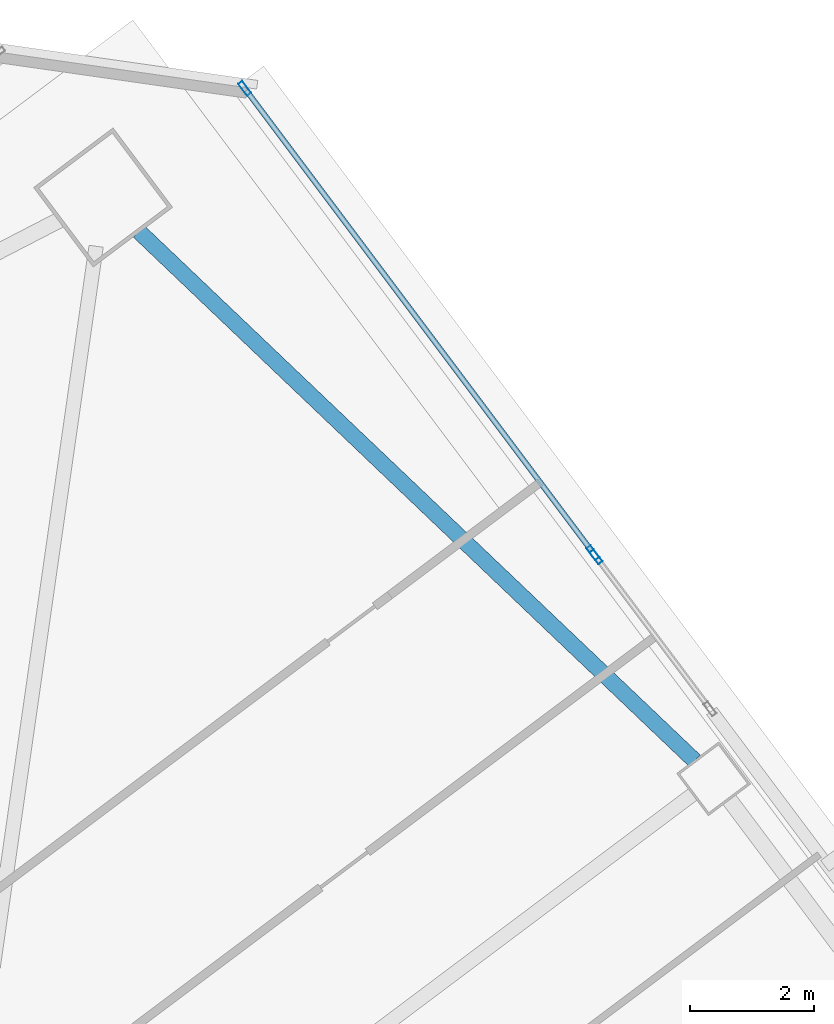
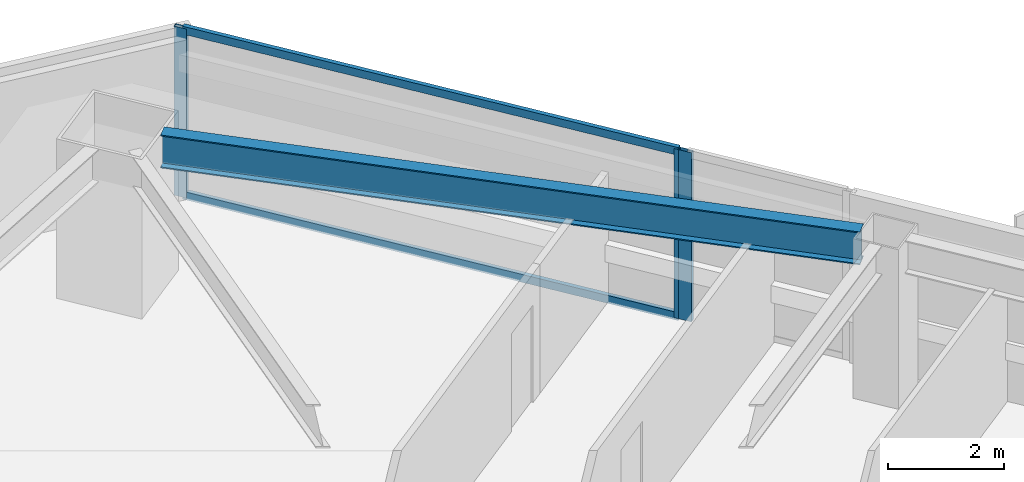
# One storey, part 38 of 62: 5 members, 1 beam, 2 elements without a shape of their own.
"""IFC4 building model written with IfcOpenShell, lengths in metres."""

from ifc_helpers import new_model, si_unit, direction, frame, origin, origin_2d, place, context, subcontext, project, spatial, hollow_rectangle, i_section, extrude, material, material_profile, profile_set, type_object, element, aggregate, save


model = new_model("IFC4")

# Units and contexts
model_context = context("Model", 3, precision=1e-05, world=origin(), true_north=direction((0.0, 1.0)))
body_context = subcontext(model_context, "Body", "Model", "MODEL_VIEW")
ifc_project = project(units=[si_unit("LENGTHUNIT", "METRE"), si_unit("AREAUNIT", "SQUARE_METRE"), si_unit("VOLUMEUNIT", "CUBIC_METRE"), si_unit("PLANEANGLEUNIT", "RADIAN"), si_unit("MASSUNIT", "GRAM", prefix="KILO")], contexts=[model_context])

# Site, building, storey
site_placement = place(None, origin())
site = spatial("IfcSite", under=ifc_project, at=site_placement, CompositionType="ELEMENT")
building_placement = place(site_placement, origin())
building = spatial("IfcBuilding", under=site, at=building_placement, Name="Tashvorn Skyway Center", CompositionType="ELEMENT")
storey_placement = place(building_placement, frame((0.0, 0.0, 28.14990234375)))
storey = spatial("IfcBuildingStorey", under=building, at=storey_placement, Name="L06", CompositionType="ELEMENT", Elevation=28.14990234375)

# Beam
ifc_material_1 = material(Name="Steel ASTM A992 Grade 50", Category="steel")
ifc_material_profile_1 = material_profile(ifc_material_1, i_section(OverallWidth=0.256103515625, OverallDepth=0.693115234375, WebThickness=0.014404296875, FlangeThickness=0.023681640625, at=origin_2d()), Name="W27X114")
ifc_profile_set_1 = profile_set([ifc_material_profile_1], Name="Steel ASTM A992 Grade 50")
beam_type = type_object("IfcBeamType", Name="BM-SPANDREL-W27X114", PredefinedType="SPANDREL", material=ifc_profile_set_1)
beam_placement = place(storey_placement, frame((127.2958984375, 49.23974609375, 3.003662109375), z_axis=(-0.724200339835, 0.689589637236, 0.0), x_axis=(-0.689589637236, -0.724200339835, 0.0)))
element("IfcBeam", 1, at=beam_placement, inside=storey, type_object=beam_type, Name="Tower 2 L06 Spandrel Beam 06", PredefinedType="SPANDREL", context=body_context, shape_type="SweptSolid", body=[
    extrude(i_section(OverallWidth=0.256103515625, OverallDepth=0.693115234375, WebThickness=0.014404296875, FlangeThickness=0.023681640625, at=origin_2d()), origin(), (0.0, 0.0, 1.0), 12.37255859375),
])

# Curtain wall, members
ifc_material_2 = material(Name="Thermally broken bronze-anodized aluminium 6063-T6", Category="aluminium")
curtain_wall_type = type_object("IfcCurtainWallType", Name="CW-CW-Z1", PredefinedType="NOTDEFINED", material=ifc_material_2)
curtain_wall_1_placement = place(storey_placement, origin())
curtain_wall_1 = element("IfcCurtainWall", 2, at=curtain_wall_1_placement, inside=storey, type_object=curtain_wall_type, Name="Tower 2 L06 East Unitised Curtain Wall Glazing Group 1", PredefinedType="NOTDEFINED")
ifc_material_profile_2 = material_profile(ifc_material_2, hollow_rectangle(XDim=0.0849609375, YDim=0.239990234375, WallThickness=0.0048828125, at=origin_2d()), Name="ALU-MULL-85x240")
ifc_profile_set_2 = profile_set([ifc_material_profile_2], Name="Thermally broken bronze-anodized aluminium 6063-T6")
member_type_1 = type_object("IfcMemberType", Name="CWM-CW-Z1", PredefinedType="MULLION", material=ifc_profile_set_2)
member_1_placement = place(storey_placement, frame((120.04150390625, 60.077880859375, 0.0), z_axis=(0.0, 0.0, 1.0), x_axis=(0.799999999998, 0.600000000002, 0.0)))
member_1 = element("IfcMember", 3, at=member_1_placement, type_object=member_type_1, Name="CW-Z1 mullion 1", PredefinedType="MULLION", context=body_context, shape_type="SweptSolid", body=[
    extrude(hollow_rectangle(XDim=0.0849609375, YDim=0.239990234375, WallThickness=0.0048828125, at=origin_2d()), origin(), (0.0, 0.0, 1.0), 3.550048828125),
])
member_2_placement = place(storey_placement, frame((125.654541015625, 52.593994140625, 0.0), z_axis=(0.0, 0.0, 1.0), x_axis=(0.799999999998, 0.600000000002, 0.0)))
member_2 = element("IfcMember", 4, at=member_2_placement, type_object=member_type_1, Name="CW-Z1 mullion 2", PredefinedType="MULLION", context=body_context, shape_type="SweptSolid", body=[
    extrude(hollow_rectangle(XDim=0.0849609375, YDim=0.239990234375, WallThickness=0.0048828125, at=origin_2d()), origin(), (0.0, 0.0, 1.0), 3.550048828125),
])

# Curtain wall, member
curtain_wall_2_placement = place(storey_placement, origin())
curtain_wall_2 = element("IfcCurtainWall", 5, at=curtain_wall_2_placement, inside=storey, type_object=curtain_wall_type, Name="Tower 2 L06 East Unitised Curtain Wall Glazing Group 2", PredefinedType="NOTDEFINED")
member_3_placement = place(storey_placement, frame((125.70556640625, 52.52587890625, 0.0), z_axis=(0.0, 0.0, 1.0), x_axis=(0.799996186392, 0.600005084776, 0.0)))
member_3 = element("IfcMember", 6, at=member_3_placement, type_object=member_type_1, Name="CW-Z1 mullion 1", PredefinedType="MULLION", context=body_context, shape_type="SweptSolid", body=[
    extrude(hollow_rectangle(XDim=0.0849609375, YDim=0.239990234375, WallThickness=0.0048828125, at=origin_2d()), origin(), (0.0, 0.0, 1.0), 3.550048828125),
])
aggregate(curtain_wall_2, [member_3])

# Member
ifc_material_profile_3 = material_profile(ifc_material_2, hollow_rectangle(XDim=0.0849609375, YDim=0.1650390625, WallThickness=0.0048828125, at=origin_2d()), Name="ALU-TRAN-85x165")
ifc_profile_set_3 = profile_set([ifc_material_profile_3], Name="Thermally broken bronze-anodized aluminium 6063-T6")
member_type_2 = type_object("IfcMemberType", Name="CWT-CW-Z1", PredefinedType="USERDEFINED", material=ifc_profile_set_3)
member_4_placement = place(storey_placement, frame((120.06689453125, 60.0439453125, 0.04248046875), z_axis=(0.6, -0.8, 0.0), x_axis=(0.8, 0.6, 0.0)))
member_4 = element("IfcMember", 7, at=member_4_placement, type_object=member_type_2, Name="CW-Z1 transom 1.1", ObjectType="TRANSOM", PredefinedType="USERDEFINED", context=body_context, shape_type="SweptSolid", body=[
    extrude(hollow_rectangle(XDim=0.0849609375, YDim=0.1650390625, WallThickness=0.0048828125, at=origin_2d()), origin(), (0.0, 0.0, 1.0), 9.27001953125),
])

member_5_placement = place(storey_placement, frame((120.06689453125, 60.0439453125, 3.507568359375), z_axis=(0.6, -0.8, 0.0), x_axis=(0.8, 0.6, 0.0)))
member_5 = element("IfcMember", 8, at=member_5_placement, type_object=member_type_2, Name="CW-Z1 transom 1.2", ObjectType="TRANSOM", PredefinedType="USERDEFINED", context=body_context, shape_type="SweptSolid", body=[
    extrude(hollow_rectangle(XDim=0.0849609375, YDim=0.1650390625, WallThickness=0.0048828125, at=origin_2d()), origin(), (0.0, 0.0, 1.0), 9.27001953125),
])

aggregate(curtain_wall_1, [member_1, member_2, member_4, member_5])

save(model, "model.ifc")
